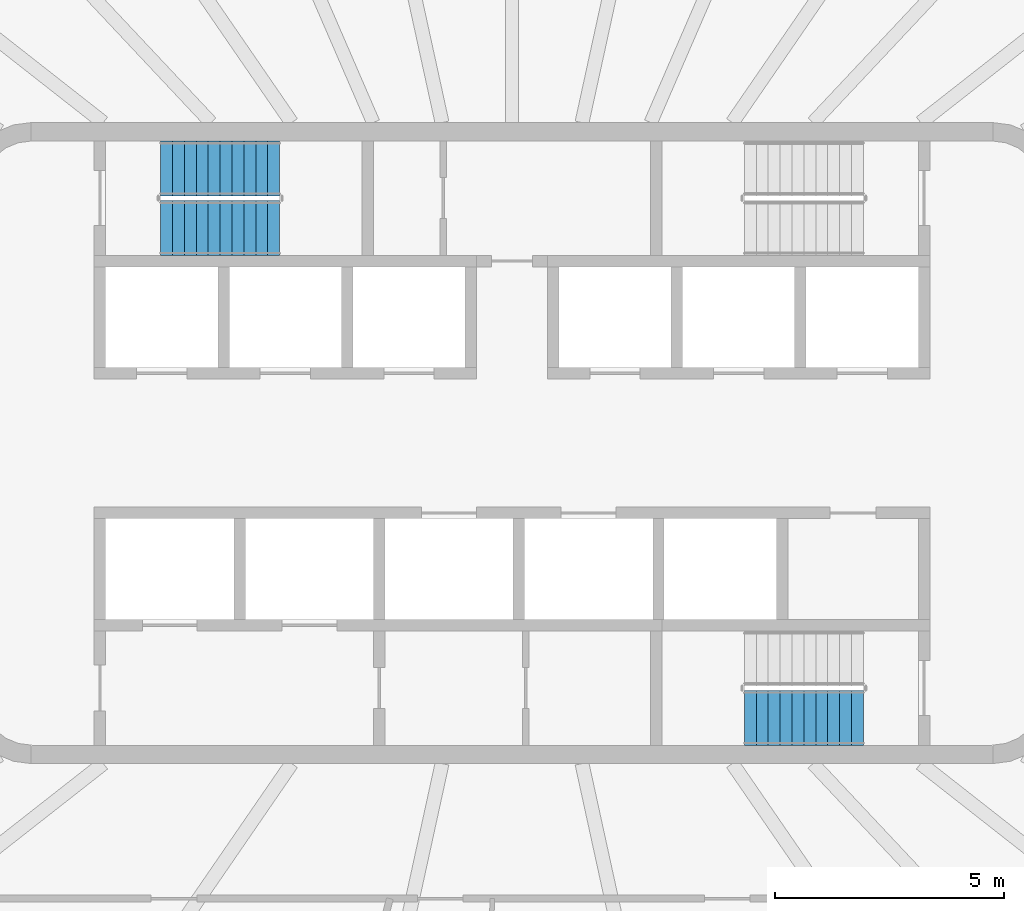
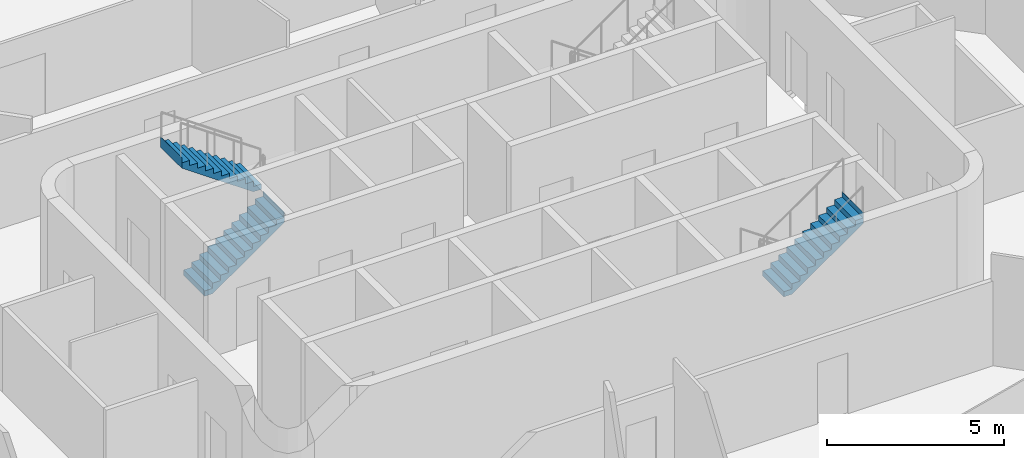
# One storey, part 13 of 19: 3 stair flights, 2 elements without a shape of their own.
"""IFC4 building model written with IfcOpenShell, lengths in metres."""

import ifcopenshell
import ifcopenshell.guid

model = None  # the IFC model being written
_history = None  # IfcOwnerHistory: only IFC2X3 demands one
_inside = {}  # id of a spatial element -> (the spatial element, [elements in it])
_under = {}  # id of a project, library or spatial element -> (it, [spatial elements below it])
_declared = {}  # id of a project -> (the project, [libraries it declares])
_typed = {}  # id of a type object -> (the type object, [elements of that type])
_made_of = {}  # id of a material, layer set ... -> (it, [elements and type objects made of it])


def new_model(schema):
    """Start an empty IFC model of exactly this schema.

    Asked for "IFC4X3", IfcOpenShell would pick the latest addendum, in which some entities
    have other attributes; the version numbers below select the first issue.
    IFC2X3 requires an IfcOwnerHistory on every rooted entity: one is made here for all.
    """
    global model, _history
    if schema == "IFC4X3":
        model = ifcopenshell.file(schema_version=(4, 3, 0, 0))
    else:
        model = ifcopenshell.file(schema=schema)
    _inside.clear()
    _under.clear()
    _declared.clear()
    _typed.clear()
    _made_of.clear()
    _history = None
    if model.schema == "IFC2X3":
        org = make("IfcOrganization", Name="unknown")
        user = make(
            "IfcPersonAndOrganization",
            ThePerson=make("IfcPerson", FamilyName="unknown"),
            TheOrganization=org,
        )
        app = make(
            "IfcApplication",
            ApplicationDeveloper=org,
            Version="unknown",
            ApplicationFullName="unknown",
            ApplicationIdentifier="unknown",
        )
        _history = make(
            "IfcOwnerHistory",
            OwningUser=user,
            OwningApplication=app,
            ChangeAction="ADDED",
            CreationDate=0,
        )
    return model


def make(cls, **values):
    """One entity of the class cls with the attributes given. An attribute that is None is left unset."""
    return model.create_entity(
        cls, **{name: value for name, value in values.items() if value is not None}
    )


def rooted(cls, **values):
    """An entity with a GlobalId (a new one), such as an element, a storey or a relation."""
    return make(cls, GlobalId=ifcopenshell.guid.new(), OwnerHistory=_history, **values)


def si_unit(unit_type, name, prefix=None):
    """IfcSIUnit, for example si_unit("LENGTHUNIT", "METRE", prefix="MILLI")."""
    return make("IfcSIUnit", UnitType=unit_type, Prefix=prefix, Name=name)


def assignment(units):
    """IfcUnitAssignment: the units of a project."""
    return None if units is None else make("IfcUnitAssignment", Units=units)


def point(xyz):
    """IfcCartesianPoint."""
    return None if xyz is None else make("IfcCartesianPoint", Coordinates=xyz)


def direction(xyz):
    """IfcDirection."""
    return None if xyz is None else make("IfcDirection", DirectionRatios=xyz)


def frame(location, z_axis=None, x_axis=None):
    """IfcAxis2Placement3D, a coordinate frame: its origin and axes. An axis left out is left unset."""
    return make(
        "IfcAxis2Placement3D",
        Location=point(location),
        Axis=direction(z_axis),
        RefDirection=direction(x_axis),
    )


def origin():
    """The frame at (0, 0, 0) with its axes left unset."""
    return frame((0.0, 0.0, 0.0))


def place(relative_to, where):
    """IfcLocalPlacement: puts the frame where relative to a parent placement (None: the world)."""
    return make(
        "IfcLocalPlacement", PlacementRelTo=relative_to, RelativePlacement=where
    )


def context(
    kind, dimensions, precision=None, world=None, true_north=None, identifier=None
):
    """IfcGeometricRepresentationContext, for example the 3D "Model" context."""
    return make(
        "IfcGeometricRepresentationContext",
        ContextIdentifier=identifier,
        ContextType=kind,
        CoordinateSpaceDimension=dimensions,
        Precision=precision,
        WorldCoordinateSystem=world,
        TrueNorth=true_north,
    )


def subcontext(parent, identifier, kind, view, scale=None):
    """IfcGeometricRepresentationSubContext, for example "Body" below "Model"."""
    return make(
        "IfcGeometricRepresentationSubContext",
        ContextIdentifier=identifier,
        ContextType=kind,
        ParentContext=parent,
        TargetScale=scale,
        TargetView=view,
    )


def project(units=None, contexts=None):
    """IfcProject with its units and contexts."""
    return rooted(
        "IfcProject",
        Name="project",
        RepresentationContexts=contexts,
        UnitsInContext=assignment(units),
    )


def spatial(cls, under=None, at=None, **own):
    """A site, building, storey or space (cls), placed at a placement, below another one or the project."""
    s = rooted(cls, ObjectPlacement=at, **own)
    if under is not None:
        _under.setdefault(under.id(), (under, []))[1].append(s)
    return s


def point_list(points):
    """IfcCartesianPointList2D or 3D."""
    cls = (
        "IfcCartesianPointList2D" if len(points[0]) == 2 else "IfcCartesianPointList3D"
    )
    return make(cls, CoordList=points)


def triangles(points, corners, closed=None, point_numbers=None):
    """IfcTriangulatedFaceSet: each triangle names its three corners, points numbered from 1."""
    return make(
        "IfcTriangulatedFaceSet",
        Coordinates=point_list(points),
        Closed=closed,
        CoordIndex=corners,
        PnIndex=point_numbers,
    )


def shape(context_of_items, identifier, shape_type, items):
    """IfcShapeRepresentation: the items that make up one representation, for example the "Body"."""
    return make(
        "IfcShapeRepresentation",
        ContextOfItems=context_of_items,
        RepresentationIdentifier=identifier,
        RepresentationType=shape_type,
        Items=items,
    )


def material(Name=None, Category=None):
    """IfcMaterial."""
    return make("IfcMaterial", Name=Name, Category=Category)


def made_of(thing, what):
    """Note that an element or type object is made of a material, layer set ...; save() writes the relation."""
    if what is not None:
        _made_of.setdefault(what.id(), (what, []))[1].append(thing)
    return thing


def type_object(cls, material=None, **own):
    """A type object (cls), such as IfcWallType, which elements share."""
    return made_of(rooted(cls, **own), material)


def element(
    cls,
    number,
    at=None,
    inside=None,
    cuts=None,
    type_object=None,
    material=None,
    context=None,
    identifier="Body",
    shape_type=None,
    held_by="IfcProductDefinitionShape",
    body=None,
    shapes=None,
    **own,
):
    """One element of the class cls, such as IfcWall. Its Tag is "e" and its number.

    at: its placement. inside: the storey or other place that contains it. cuts: it is an
    opening in that element (IfcRelVoidsElement). A single representation is given by context,
    identifier, shape_type and body (its items); several are given by shapes. held_by: the class
    of the entity that holds the representations. save() writes the other relations.
    """
    e = rooted(cls, Tag="e%d" % number, ObjectPlacement=at, **own)
    if body is not None:
        shapes = [shape(context, identifier, shape_type, body)]
    if shapes is not None:
        e.Representation = make(held_by, Representations=shapes)
    if inside is not None:
        _inside.setdefault(inside.id(), (inside, []))[1].append(e)
    if cuts is not None:
        rooted(
            "IfcRelVoidsElement", RelatingBuildingElement=cuts, RelatedOpeningElement=e
        )
    if type_object is not None:
        _typed.setdefault(type_object.id(), (type_object, []))[1].append(e)
    return made_of(e, material)


def aggregate(whole, parts):
    """IfcRelAggregates: a whole, such as a stair, and the parts it consists of."""
    return rooted("IfcRelAggregates", RelatingObject=whole, RelatedObjects=parts)


def save(model, path):
    """Write the relations noted so far, then the file.

    IfcRelAggregates (storeys below a building ...), IfcRelContainedInSpatialStructure (elements
    in a storey), IfcRelDefinesByType, IfcRelAssociatesMaterial and IfcRelDeclares: one each for
    every whole, place, type object, material and project.
    """
    for whole, parts in _under.values():
        aggregate(whole, parts)
    for where, things in _inside.values():
        rooted(
            "IfcRelContainedInSpatialStructure",
            RelatedElements=things,
            RelatingStructure=where,
        )
    for kind, things in _typed.values():
        rooted("IfcRelDefinesByType", RelatedObjects=things, RelatingType=kind)
    for what, things in _made_of.values():
        rooted("IfcRelAssociatesMaterial", RelatedObjects=things, RelatingMaterial=what)
    for by, libraries in _declared.values():
        rooted("IfcRelDeclares", RelatingContext=by, RelatedDefinitions=libraries)
    model.write(path)


model = new_model("IFC4")

# Units and contexts
model_context = context("Model", 3, precision=1e-05, world=origin(), true_north=direction((0.0, 1.0)))
body_context = subcontext(model_context, "Body", "Model", "MODEL_VIEW")
ifc_project = project(units=[si_unit("LENGTHUNIT", "METRE"), si_unit("AREAUNIT", "SQUARE_METRE"), si_unit("VOLUMEUNIT", "CUBIC_METRE"), si_unit("PLANEANGLEUNIT", "RADIAN"), si_unit("MASSUNIT", "GRAM", prefix="KILO")], contexts=[model_context])

# Site, building, storey
site_placement = place(None, origin())
site = spatial("IfcSite", under=ifc_project, at=site_placement, CompositionType="ELEMENT")
building_placement = place(site_placement, origin())
building = spatial("IfcBuilding", under=site, at=building_placement, Name="Sahrelin Media Tower", CompositionType="ELEMENT")
storey_placement = place(building_placement, frame((0.0, 0.0, 275.0)))
storey = spatial("IfcBuildingStorey", under=building, at=storey_placement, Name="L60", CompositionType="ELEMENT", Elevation=275.0)

# Stair, stair flights
ifc_material = material(Name="Concrete C40/50", Category="concrete")
stair_type = type_object("IfcStairType", Name="Exit stair 1200", PredefinedType="HALF_TURN_STAIR", material=ifc_material)
placement = place(storey_placement, origin())
stair_1 = element("IfcStair", 1, at=placement, inside=storey, type_object=stair_type, Name="L60 Exit stair ST1", PredefinedType="HALF_TURN_STAIR")
stair_flight_type = type_object("IfcStairFlightType", Name="Stair flight 1200", PredefinedType="STRAIGHT", material=ifc_material)
stair_flight_1_placement = place(storey_placement, frame((-7.675048828125, 4.699951171875, 0.0), z_axis=(0.0, 0.0, 1.0), x_axis=(1.0, 0.0, 0.0)))
stair_flight_1 = element("IfcStairFlight", 2, at=stair_flight_1_placement, type_object=stair_flight_type, Name="ST1 flight 1", NumberOfRisers=11, NumberOfTreads=10, PredefinedType="STRAIGHT", RiserHeight=0.181818182, TreadLength=0.26, context=body_context, shape_type="Tessellation", body=[
    triangles([(0.261474609375, 0.60009765625, 0.0), (0.261474609375, 0.300048828125, 0.0), (0.261474609375, 0.0, 0.0), (0.261474609375, -0.300048828125, 0.0), (0.261474609375, -0.60009765625, 0.0), (2.60009765625, 0.60009765625, 1.63525390625), (2.60009765625, 0.300048828125, 1.63525390625), (2.60009765625, 0.0, 1.63525390625), (2.60009765625, -0.300048828125, 1.63525390625), (2.60009765625, -0.60009765625, 1.63525390625), (2.60009765625, 0.60009765625, 2.0), (2.60009765625, 0.300048828125, 2.0), (2.60009765625, 0.0, 2.0), (2.60009765625, -0.300048828125, 2.0), (2.60009765625, -0.60009765625, 2.0), (2.597900390625, 0.60009765625, 2.0), (2.597900390625, 0.300048828125, 2.0), (2.597900390625, 0.0, 2.0), (2.597900390625, -0.300048828125, 2.0), (2.597900390625, -0.60009765625, 2.0), (2.597900390625, 0.60009765625, 1.818115234375), (2.597900390625, 0.300048828125, 1.818115234375), (2.597900390625, 0.0, 1.818115234375), (2.597900390625, -0.300048828125, 1.818115234375), (2.597900390625, -0.60009765625, 1.818115234375), (2.340087890625, 0.60009765625, 1.818115234375), (2.340087890625, 0.300048828125, 1.818115234375), (2.340087890625, 0.0, 1.818115234375), (2.340087890625, -0.300048828125, 1.818115234375), (2.340087890625, -0.60009765625, 1.818115234375), (2.340087890625, 0.60009765625, 1.636474609375), (2.340087890625, 0.300048828125, 1.636474609375), (2.340087890625, 0.0, 1.636474609375), (2.340087890625, -0.300048828125, 1.636474609375), (2.340087890625, -0.60009765625, 1.636474609375), (2.080078125, 0.60009765625, 1.636474609375), (2.080078125, 0.300048828125, 1.636474609375), (2.080078125, 0.0, 1.636474609375), (2.080078125, -0.300048828125, 1.636474609375), (2.080078125, -0.60009765625, 1.636474609375), (2.080078125, 0.60009765625, 1.45458984375), (2.080078125, 0.300048828125, 1.45458984375), (2.080078125, 0.0, 1.45458984375), (2.080078125, -0.300048828125, 1.45458984375), (2.080078125, -0.60009765625, 1.45458984375), (1.820068359375, 0.60009765625, 1.45458984375), (1.820068359375, 0.300048828125, 1.45458984375), (1.820068359375, 0.0, 1.45458984375), (1.820068359375, -0.300048828125, 1.45458984375), (1.820068359375, -0.60009765625, 1.45458984375), (1.820068359375, 0.60009765625, 1.272705078125), (1.820068359375, 0.300048828125, 1.272705078125), (1.820068359375, 0.0, 1.272705078125), (1.820068359375, -0.300048828125, 1.272705078125), (1.820068359375, -0.60009765625, 1.272705078125), (1.56005859375, 0.60009765625, 1.272705078125), (1.56005859375, 0.300048828125, 1.272705078125), (1.56005859375, 0.0, 1.272705078125), (1.56005859375, -0.300048828125, 1.272705078125), (1.56005859375, -0.60009765625, 1.272705078125), (1.56005859375, 0.60009765625, 1.0908203125), (1.56005859375, 0.300048828125, 1.0908203125), (1.56005859375, 0.0, 1.0908203125), (1.56005859375, -0.300048828125, 1.0908203125), (1.56005859375, -0.60009765625, 1.0908203125), (1.300048828125, 0.60009765625, 1.0908203125), (1.300048828125, 0.300048828125, 1.0908203125), (1.300048828125, 0.0, 1.0908203125), (1.300048828125, -0.300048828125, 1.0908203125), (1.300048828125, -0.60009765625, 1.0908203125), (1.300048828125, 0.60009765625, 0.9091796875), (1.300048828125, 0.300048828125, 0.9091796875), (1.300048828125, 0.0, 0.9091796875), (1.300048828125, -0.300048828125, 0.9091796875), (1.300048828125, -0.60009765625, 0.9091796875), (1.0400390625, 0.60009765625, 0.9091796875), (1.0400390625, 0.300048828125, 0.9091796875), (1.0400390625, 0.0, 0.9091796875), (1.0400390625, -0.300048828125, 0.9091796875), (1.0400390625, -0.60009765625, 0.9091796875), (1.0400390625, 0.60009765625, 0.727294921875), (1.0400390625, 0.300048828125, 0.727294921875), (1.0400390625, 0.0, 0.727294921875), (1.0400390625, -0.300048828125, 0.727294921875), (1.0400390625, -0.60009765625, 0.727294921875), (0.780029296875, 0.60009765625, 0.727294921875), (0.780029296875, 0.300048828125, 0.727294921875), (0.780029296875, 0.0, 0.727294921875), (0.780029296875, -0.300048828125, 0.727294921875), (0.780029296875, -0.60009765625, 0.727294921875), (0.780029296875, 0.60009765625, 0.54541015625), (0.780029296875, 0.300048828125, 0.54541015625), (0.780029296875, 0.0, 0.54541015625), (0.780029296875, -0.300048828125, 0.54541015625), (0.780029296875, -0.60009765625, 0.54541015625), (0.52001953125, 0.60009765625, 0.54541015625), (0.52001953125, 0.300048828125, 0.54541015625), (0.52001953125, 0.0, 0.54541015625), (0.52001953125, -0.300048828125, 0.54541015625), (0.52001953125, -0.60009765625, 0.54541015625), (0.52001953125, 0.60009765625, 0.363525390625), (0.52001953125, 0.300048828125, 0.363525390625), (0.52001953125, 0.0, 0.363525390625), (0.52001953125, -0.300048828125, 0.363525390625), (0.52001953125, -0.60009765625, 0.363525390625), (0.260009765625, 0.60009765625, 0.363525390625), (0.260009765625, 0.300048828125, 0.363525390625), (0.260009765625, 0.0, 0.363525390625), (0.260009765625, -0.300048828125, 0.363525390625), (0.260009765625, -0.60009765625, 0.363525390625), (0.260009765625, 0.60009765625, 0.181884765625), (0.260009765625, 0.300048828125, 0.181884765625), (0.260009765625, 0.0, 0.181884765625), (0.260009765625, -0.300048828125, 0.181884765625), (0.260009765625, -0.60009765625, 0.181884765625), (0.0, 0.60009765625, 0.181884765625), (0.0, 0.300048828125, 0.181884765625), (0.0, 0.0, 0.181884765625), (0.0, -0.300048828125, 0.181884765625), (0.0, -0.60009765625, 0.181884765625), (0.0, 0.60009765625, 0.0), (0.0, 0.300048828125, 0.0), (0.0, 0.0, 0.0), (0.0, -0.300048828125, 0.0), (0.0, -0.60009765625, 0.0)], [[1, 6, 7], [1, 7, 2], [2, 7, 8], [2, 8, 3], [3, 8, 9], [3, 9, 4], [4, 9, 10], [4, 10, 5], [6, 11, 12], [6, 12, 7], [7, 12, 13], [7, 13, 8], [8, 13, 14], [8, 14, 9], [9, 14, 15], [9, 15, 10], [11, 16, 17], [11, 17, 12], [12, 17, 18], [12, 18, 13], [13, 18, 19], [13, 19, 14], [14, 19, 20], [14, 20, 15], [16, 21, 22], [16, 22, 17], [17, 22, 23], [17, 23, 18], [18, 23, 24], [18, 24, 19], [19, 24, 25], [19, 25, 20], [21, 26, 27], [21, 27, 22], [22, 27, 28], [22, 28, 23], [23, 28, 29], [23, 29, 24], [24, 29, 30], [24, 30, 25], [26, 31, 32], [26, 32, 27], [27, 32, 33], [27, 33, 28], [28, 33, 34], [28, 34, 29], [29, 34, 35], [29, 35, 30], [31, 36, 37], [31, 37, 32], [32, 37, 38], [32, 38, 33], [33, 38, 39], [33, 39, 34], [34, 39, 40], [34, 40, 35], [36, 41, 42], [36, 42, 37], [37, 42, 43], [37, 43, 38], [38, 43, 44], [38, 44, 39], [39, 44, 45], [39, 45, 40], [41, 46, 47], [41, 47, 42], [42, 47, 48], [42, 48, 43], [43, 48, 49], [43, 49, 44], [44, 49, 50], [44, 50, 45], [46, 51, 52], [46, 52, 47], [47, 52, 53], [47, 53, 48], [48, 53, 54], [48, 54, 49], [49, 54, 55], [49, 55, 50], [51, 56, 57], [51, 57, 52], [52, 57, 58], [52, 58, 53], [53, 58, 59], [53, 59, 54], [54, 59, 60], [54, 60, 55], [56, 61, 62], [56, 62, 57], [57, 62, 63], [57, 63, 58], [58, 63, 64], [58, 64, 59], [59, 64, 65], [59, 65, 60], [61, 66, 67], [61, 67, 62], [62, 67, 68], [62, 68, 63], [63, 68, 69], [63, 69, 64], [64, 69, 70], [64, 70, 65], [66, 71, 72], [66, 72, 67], [67, 72, 73], [67, 73, 68], [68, 73, 74], [68, 74, 69], [69, 74, 75], [69, 75, 70], [71, 76, 77], [71, 77, 72], [72, 77, 78], [72, 78, 73], [73, 78, 79], [73, 79, 74], [74, 79, 80], [74, 80, 75], [76, 81, 82], [76, 82, 77], [77, 82, 83], [77, 83, 78], [78, 83, 84], [78, 84, 79], [79, 84, 85], [79, 85, 80], [81, 86, 87], [81, 87, 82], [82, 87, 88], [82, 88, 83], [83, 88, 89], [83, 89, 84], [84, 89, 90], [84, 90, 85], [86, 91, 92], [86, 92, 87], [87, 92, 93], [87, 93, 88], [88, 93, 94], [88, 94, 89], [89, 94, 95], [89, 95, 90], [91, 96, 97], [91, 97, 92], [92, 97, 98], [92, 98, 93], [93, 98, 99], [93, 99, 94], [94, 99, 100], [94, 100, 95], [96, 101, 102], [96, 102, 97], [97, 102, 103], [97, 103, 98], [98, 103, 104], [98, 104, 99], [99, 104, 105], [99, 105, 100], [101, 106, 107], [101, 107, 102], [102, 107, 108], [102, 108, 103], [103, 108, 109], [103, 109, 104], [104, 109, 110], [104, 110, 105], [106, 111, 112], [106, 112, 107], [107, 112, 113], [107, 113, 108], [108, 113, 114], [108, 114, 109], [109, 114, 115], [109, 115, 110], [111, 116, 117], [111, 117, 112], [112, 117, 118], [112, 118, 113], [113, 118, 119], [113, 119, 114], [114, 119, 120], [114, 120, 115], [116, 121, 122], [116, 122, 117], [117, 122, 123], [117, 123, 118], [118, 123, 124], [118, 124, 119], [119, 124, 125], [119, 125, 120], [121, 1, 2], [121, 2, 122], [122, 2, 3], [122, 3, 123], [123, 3, 4], [123, 4, 124], [124, 4, 5], [124, 5, 125], [115, 120, 125], [111, 121, 116], [115, 105, 110], [111, 106, 101], [105, 95, 100], [101, 96, 91], [95, 85, 90], [91, 86, 81], [85, 75, 80], [81, 76, 71], [75, 65, 70], [71, 66, 61], [65, 55, 60], [61, 56, 51], [55, 45, 50], [51, 46, 41], [45, 35, 40], [41, 36, 31], [35, 25, 30], [31, 26, 21], [25, 15, 20], [21, 16, 11], [125, 5, 115], [121, 111, 1], [25, 10, 15], [21, 11, 6], [105, 115, 5], [101, 1, 111], [35, 10, 25], [31, 21, 6], [95, 105, 5], [91, 1, 101], [45, 10, 35], [41, 31, 6], [85, 95, 5], [81, 1, 91], [55, 10, 45], [51, 41, 6], [75, 85, 5], [71, 1, 81], [65, 10, 55], [61, 51, 6], [5, 10, 75], [1, 71, 6], [75, 10, 65], [71, 61, 6]], closed=True),
])
stair_flight_2_placement = place(storey_placement, frame((-5.074951171875, 6.0, 2.0), z_axis=(0.0, 0.0, 1.0), x_axis=(-1.0, 0.0, 0.0)))
stair_flight_2 = element("IfcStairFlight", 3, at=stair_flight_2_placement, type_object=stair_flight_type, Name="ST1 flight 2", NumberOfRisers=11, NumberOfTreads=10, PredefinedType="STRAIGHT", RiserHeight=0.181818182, TreadLength=0.26, context=body_context, shape_type="Tessellation", body=[
    triangles([(0.261474609375, 0.60009765625, 0.0), (0.261474609375, 0.300048828125, 0.0), (0.261474609375, 0.0, 0.0), (0.261474609375, -0.300048828125, 0.0), (0.261474609375, -0.60009765625, 0.0), (2.60009765625, 0.60009765625, 1.63525390625), (2.60009765625, 0.300048828125, 1.63525390625), (2.60009765625, 0.0, 1.63525390625), (2.60009765625, -0.300048828125, 1.63525390625), (2.60009765625, -0.60009765625, 1.63525390625), (2.60009765625, 0.60009765625, 2.0), (2.60009765625, 0.300048828125, 2.0), (2.60009765625, 0.0, 2.0), (2.60009765625, -0.300048828125, 2.0), (2.60009765625, -0.60009765625, 2.0), (2.597900390625, 0.60009765625, 2.0), (2.597900390625, 0.300048828125, 2.0), (2.597900390625, 0.0, 2.0), (2.597900390625, -0.300048828125, 2.0), (2.597900390625, -0.60009765625, 2.0), (2.597900390625, 0.60009765625, 1.818115234375), (2.597900390625, 0.300048828125, 1.818115234375), (2.597900390625, 0.0, 1.818115234375), (2.597900390625, -0.300048828125, 1.818115234375), (2.597900390625, -0.60009765625, 1.818115234375), (2.340087890625, 0.60009765625, 1.818115234375), (2.340087890625, 0.300048828125, 1.818115234375), (2.340087890625, 0.0, 1.818115234375), (2.340087890625, -0.300048828125, 1.818115234375), (2.340087890625, -0.60009765625, 1.818115234375), (2.340087890625, 0.60009765625, 1.636474609375), (2.340087890625, 0.300048828125, 1.636474609375), (2.340087890625, 0.0, 1.636474609375), (2.340087890625, -0.300048828125, 1.636474609375), (2.340087890625, -0.60009765625, 1.636474609375), (2.080078125, 0.60009765625, 1.636474609375), (2.080078125, 0.300048828125, 1.636474609375), (2.080078125, 0.0, 1.636474609375), (2.080078125, -0.300048828125, 1.636474609375), (2.080078125, -0.60009765625, 1.636474609375), (2.080078125, 0.60009765625, 1.45458984375), (2.080078125, 0.300048828125, 1.45458984375), (2.080078125, 0.0, 1.45458984375), (2.080078125, -0.300048828125, 1.45458984375), (2.080078125, -0.60009765625, 1.45458984375), (1.820068359375, 0.60009765625, 1.45458984375), (1.820068359375, 0.300048828125, 1.45458984375), (1.820068359375, 0.0, 1.45458984375), (1.820068359375, -0.300048828125, 1.45458984375), (1.820068359375, -0.60009765625, 1.45458984375), (1.820068359375, 0.60009765625, 1.272705078125), (1.820068359375, 0.300048828125, 1.272705078125), (1.820068359375, 0.0, 1.272705078125), (1.820068359375, -0.300048828125, 1.272705078125), (1.820068359375, -0.60009765625, 1.272705078125), (1.56005859375, 0.60009765625, 1.272705078125), (1.56005859375, 0.300048828125, 1.272705078125), (1.56005859375, 0.0, 1.272705078125), (1.56005859375, -0.300048828125, 1.272705078125), (1.56005859375, -0.60009765625, 1.272705078125), (1.56005859375, 0.60009765625, 1.0908203125), (1.56005859375, 0.300048828125, 1.0908203125), (1.56005859375, 0.0, 1.0908203125), (1.56005859375, -0.300048828125, 1.0908203125), (1.56005859375, -0.60009765625, 1.0908203125), (1.300048828125, 0.60009765625, 1.0908203125), (1.300048828125, 0.300048828125, 1.0908203125), (1.300048828125, 0.0, 1.0908203125), (1.300048828125, -0.300048828125, 1.0908203125), (1.300048828125, -0.60009765625, 1.0908203125), (1.300048828125, 0.60009765625, 0.9091796875), (1.300048828125, 0.300048828125, 0.9091796875), (1.300048828125, 0.0, 0.9091796875), (1.300048828125, -0.300048828125, 0.9091796875), (1.300048828125, -0.60009765625, 0.9091796875), (1.0400390625, 0.60009765625, 0.9091796875), (1.0400390625, 0.300048828125, 0.9091796875), (1.0400390625, 0.0, 0.9091796875), (1.0400390625, -0.300048828125, 0.9091796875), (1.0400390625, -0.60009765625, 0.9091796875), (1.0400390625, 0.60009765625, 0.727294921875), (1.0400390625, 0.300048828125, 0.727294921875), (1.0400390625, 0.0, 0.727294921875), (1.0400390625, -0.300048828125, 0.727294921875), (1.0400390625, -0.60009765625, 0.727294921875), (0.780029296875, 0.60009765625, 0.727294921875), (0.780029296875, 0.300048828125, 0.727294921875), (0.780029296875, 0.0, 0.727294921875), (0.780029296875, -0.300048828125, 0.727294921875), (0.780029296875, -0.60009765625, 0.727294921875), (0.780029296875, 0.60009765625, 0.54541015625), (0.780029296875, 0.300048828125, 0.54541015625), (0.780029296875, 0.0, 0.54541015625), (0.780029296875, -0.300048828125, 0.54541015625), (0.780029296875, -0.60009765625, 0.54541015625), (0.52001953125, 0.60009765625, 0.54541015625), (0.52001953125, 0.300048828125, 0.54541015625), (0.52001953125, 0.0, 0.54541015625), (0.52001953125, -0.300048828125, 0.54541015625), (0.52001953125, -0.60009765625, 0.54541015625), (0.52001953125, 0.60009765625, 0.363525390625), (0.52001953125, 0.300048828125, 0.363525390625), (0.52001953125, 0.0, 0.363525390625), (0.52001953125, -0.300048828125, 0.363525390625), (0.52001953125, -0.60009765625, 0.363525390625), (0.260009765625, 0.60009765625, 0.363525390625), (0.260009765625, 0.300048828125, 0.363525390625), (0.260009765625, 0.0, 0.363525390625), (0.260009765625, -0.300048828125, 0.363525390625), (0.260009765625, -0.60009765625, 0.363525390625), (0.260009765625, 0.60009765625, 0.181884765625), (0.260009765625, 0.300048828125, 0.181884765625), (0.260009765625, 0.0, 0.181884765625), (0.260009765625, -0.300048828125, 0.181884765625), (0.260009765625, -0.60009765625, 0.181884765625), (0.0, 0.60009765625, 0.181884765625), (0.0, 0.300048828125, 0.181884765625), (0.0, 0.0, 0.181884765625), (0.0, -0.300048828125, 0.181884765625), (0.0, -0.60009765625, 0.181884765625), (0.0, 0.60009765625, 0.0), (0.0, 0.300048828125, 0.0), (0.0, 0.0, 0.0), (0.0, -0.300048828125, 0.0), (0.0, -0.60009765625, 0.0)], [[1, 6, 7], [1, 7, 2], [2, 7, 8], [2, 8, 3], [3, 8, 9], [3, 9, 4], [4, 9, 10], [4, 10, 5], [6, 11, 12], [6, 12, 7], [7, 12, 13], [7, 13, 8], [8, 13, 14], [8, 14, 9], [9, 14, 15], [9, 15, 10], [11, 16, 17], [11, 17, 12], [12, 17, 18], [12, 18, 13], [13, 18, 19], [13, 19, 14], [14, 19, 20], [14, 20, 15], [16, 21, 22], [16, 22, 17], [17, 22, 23], [17, 23, 18], [18, 23, 24], [18, 24, 19], [19, 24, 25], [19, 25, 20], [21, 26, 27], [21, 27, 22], [22, 27, 28], [22, 28, 23], [23, 28, 29], [23, 29, 24], [24, 29, 30], [24, 30, 25], [26, 31, 32], [26, 32, 27], [27, 32, 33], [27, 33, 28], [28, 33, 34], [28, 34, 29], [29, 34, 35], [29, 35, 30], [31, 36, 37], [31, 37, 32], [32, 37, 38], [32, 38, 33], [33, 38, 39], [33, 39, 34], [34, 39, 40], [34, 40, 35], [36, 41, 42], [36, 42, 37], [37, 42, 43], [37, 43, 38], [38, 43, 44], [38, 44, 39], [39, 44, 45], [39, 45, 40], [41, 46, 47], [41, 47, 42], [42, 47, 48], [42, 48, 43], [43, 48, 49], [43, 49, 44], [44, 49, 50], [44, 50, 45], [46, 51, 52], [46, 52, 47], [47, 52, 53], [47, 53, 48], [48, 53, 54], [48, 54, 49], [49, 54, 55], [49, 55, 50], [51, 56, 57], [51, 57, 52], [52, 57, 58], [52, 58, 53], [53, 58, 59], [53, 59, 54], [54, 59, 60], [54, 60, 55], [56, 61, 62], [56, 62, 57], [57, 62, 63], [57, 63, 58], [58, 63, 64], [58, 64, 59], [59, 64, 65], [59, 65, 60], [61, 66, 67], [61, 67, 62], [62, 67, 68], [62, 68, 63], [63, 68, 69], [63, 69, 64], [64, 69, 70], [64, 70, 65], [66, 71, 72], [66, 72, 67], [67, 72, 73], [67, 73, 68], [68, 73, 74], [68, 74, 69], [69, 74, 75], [69, 75, 70], [71, 76, 77], [71, 77, 72], [72, 77, 78], [72, 78, 73], [73, 78, 79], [73, 79, 74], [74, 79, 80], [74, 80, 75], [76, 81, 82], [76, 82, 77], [77, 82, 83], [77, 83, 78], [78, 83, 84], [78, 84, 79], [79, 84, 85], [79, 85, 80], [81, 86, 87], [81, 87, 82], [82, 87, 88], [82, 88, 83], [83, 88, 89], [83, 89, 84], [84, 89, 90], [84, 90, 85], [86, 91, 92], [86, 92, 87], [87, 92, 93], [87, 93, 88], [88, 93, 94], [88, 94, 89], [89, 94, 95], [89, 95, 90], [91, 96, 97], [91, 97, 92], [92, 97, 98], [92, 98, 93], [93, 98, 99], [93, 99, 94], [94, 99, 100], [94, 100, 95], [96, 101, 102], [96, 102, 97], [97, 102, 103], [97, 103, 98], [98, 103, 104], [98, 104, 99], [99, 104, 105], [99, 105, 100], [101, 106, 107], [101, 107, 102], [102, 107, 108], [102, 108, 103], [103, 108, 109], [103, 109, 104], [104, 109, 110], [104, 110, 105], [106, 111, 112], [106, 112, 107], [107, 112, 113], [107, 113, 108], [108, 113, 114], [108, 114, 109], [109, 114, 115], [109, 115, 110], [111, 116, 117], [111, 117, 112], [112, 117, 118], [112, 118, 113], [113, 118, 119], [113, 119, 114], [114, 119, 120], [114, 120, 115], [116, 121, 122], [116, 122, 117], [117, 122, 123], [117, 123, 118], [118, 123, 124], [118, 124, 119], [119, 124, 125], [119, 125, 120], [121, 1, 2], [121, 2, 122], [122, 2, 3], [122, 3, 123], [123, 3, 4], [123, 4, 124], [124, 4, 5], [124, 5, 125], [115, 120, 125], [111, 121, 116], [115, 105, 110], [111, 106, 101], [105, 95, 100], [101, 96, 91], [95, 85, 90], [91, 86, 81], [85, 75, 80], [81, 76, 71], [75, 65, 70], [71, 66, 61], [65, 55, 60], [61, 56, 51], [55, 45, 50], [51, 46, 41], [45, 35, 40], [41, 36, 31], [35, 25, 30], [31, 26, 21], [25, 15, 20], [21, 16, 11], [125, 5, 115], [121, 111, 1], [25, 10, 15], [21, 11, 6], [105, 115, 5], [101, 1, 111], [35, 10, 25], [31, 21, 6], [95, 105, 5], [91, 1, 101], [45, 10, 35], [41, 31, 6], [85, 95, 5], [81, 1, 91], [55, 10, 45], [51, 41, 6], [75, 85, 5], [71, 1, 81], [65, 10, 55], [61, 51, 6], [5, 10, 75], [1, 71, 6], [75, 10, 65], [71, 61, 6]], closed=True),
])
aggregate(stair_1, [stair_flight_1, stair_flight_2])

# Stair, stair flight
stair_2 = element("IfcStair", 4, at=placement, inside=storey, type_object=stair_type, Name="L60 Exit stair ST2", PredefinedType="HALF_TURN_STAIR")
stair_flight_3_placement = place(storey_placement, frame((5.074951171875, -6.0, 2.0), z_axis=(0.0, 0.0, 1.0), x_axis=(1.0, 0.0, 0.0)))
stair_flight_3 = element("IfcStairFlight", 5, at=stair_flight_3_placement, type_object=stair_flight_type, Name="ST2 flight 2", NumberOfRisers=11, NumberOfTreads=10, PredefinedType="STRAIGHT", RiserHeight=0.181818182, TreadLength=0.26, context=body_context, shape_type="Tessellation", body=[
    triangles([(0.261474609375, 0.60009765625, 0.0), (0.261474609375, 0.300048828125, 0.0), (0.261474609375, 0.0, 0.0), (0.261474609375, -0.300048828125, 0.0), (0.261474609375, -0.60009765625, 0.0), (2.60009765625, 0.60009765625, 1.63525390625), (2.60009765625, 0.300048828125, 1.63525390625), (2.60009765625, 0.0, 1.63525390625), (2.60009765625, -0.300048828125, 1.63525390625), (2.60009765625, -0.60009765625, 1.63525390625), (2.60009765625, 0.60009765625, 2.0), (2.60009765625, 0.300048828125, 2.0), (2.60009765625, 0.0, 2.0), (2.60009765625, -0.300048828125, 2.0), (2.60009765625, -0.60009765625, 2.0), (2.597900390625, 0.60009765625, 2.0), (2.597900390625, 0.300048828125, 2.0), (2.597900390625, 0.0, 2.0), (2.597900390625, -0.300048828125, 2.0), (2.597900390625, -0.60009765625, 2.0), (2.597900390625, 0.60009765625, 1.818115234375), (2.597900390625, 0.300048828125, 1.818115234375), (2.597900390625, 0.0, 1.818115234375), (2.597900390625, -0.300048828125, 1.818115234375), (2.597900390625, -0.60009765625, 1.818115234375), (2.340087890625, 0.60009765625, 1.818115234375), (2.340087890625, 0.300048828125, 1.818115234375), (2.340087890625, 0.0, 1.818115234375), (2.340087890625, -0.300048828125, 1.818115234375), (2.340087890625, -0.60009765625, 1.818115234375), (2.340087890625, 0.60009765625, 1.636474609375), (2.340087890625, 0.300048828125, 1.636474609375), (2.340087890625, 0.0, 1.636474609375), (2.340087890625, -0.300048828125, 1.636474609375), (2.340087890625, -0.60009765625, 1.636474609375), (2.080078125, 0.60009765625, 1.636474609375), (2.080078125, 0.300048828125, 1.636474609375), (2.080078125, 0.0, 1.636474609375), (2.080078125, -0.300048828125, 1.636474609375), (2.080078125, -0.60009765625, 1.636474609375), (2.080078125, 0.60009765625, 1.45458984375), (2.080078125, 0.300048828125, 1.45458984375), (2.080078125, 0.0, 1.45458984375), (2.080078125, -0.300048828125, 1.45458984375), (2.080078125, -0.60009765625, 1.45458984375), (1.820068359375, 0.60009765625, 1.45458984375), (1.820068359375, 0.300048828125, 1.45458984375), (1.820068359375, 0.0, 1.45458984375), (1.820068359375, -0.300048828125, 1.45458984375), (1.820068359375, -0.60009765625, 1.45458984375), (1.820068359375, 0.60009765625, 1.272705078125), (1.820068359375, 0.300048828125, 1.272705078125), (1.820068359375, 0.0, 1.272705078125), (1.820068359375, -0.300048828125, 1.272705078125), (1.820068359375, -0.60009765625, 1.272705078125), (1.56005859375, 0.60009765625, 1.272705078125), (1.56005859375, 0.300048828125, 1.272705078125), (1.56005859375, 0.0, 1.272705078125), (1.56005859375, -0.300048828125, 1.272705078125), (1.56005859375, -0.60009765625, 1.272705078125), (1.56005859375, 0.60009765625, 1.0908203125), (1.56005859375, 0.300048828125, 1.0908203125), (1.56005859375, 0.0, 1.0908203125), (1.56005859375, -0.300048828125, 1.0908203125), (1.56005859375, -0.60009765625, 1.0908203125), (1.300048828125, 0.60009765625, 1.0908203125), (1.300048828125, 0.300048828125, 1.0908203125), (1.300048828125, 0.0, 1.0908203125), (1.300048828125, -0.300048828125, 1.0908203125), (1.300048828125, -0.60009765625, 1.0908203125), (1.300048828125, 0.60009765625, 0.9091796875), (1.300048828125, 0.300048828125, 0.9091796875), (1.300048828125, 0.0, 0.9091796875), (1.300048828125, -0.300048828125, 0.9091796875), (1.300048828125, -0.60009765625, 0.9091796875), (1.0400390625, 0.60009765625, 0.9091796875), (1.0400390625, 0.300048828125, 0.9091796875), (1.0400390625, 0.0, 0.9091796875), (1.0400390625, -0.300048828125, 0.9091796875), (1.0400390625, -0.60009765625, 0.9091796875), (1.0400390625, 0.60009765625, 0.727294921875), (1.0400390625, 0.300048828125, 0.727294921875), (1.0400390625, 0.0, 0.727294921875), (1.0400390625, -0.300048828125, 0.727294921875), (1.0400390625, -0.60009765625, 0.727294921875), (0.780029296875, 0.60009765625, 0.727294921875), (0.780029296875, 0.300048828125, 0.727294921875), (0.780029296875, 0.0, 0.727294921875), (0.780029296875, -0.300048828125, 0.727294921875), (0.780029296875, -0.60009765625, 0.727294921875), (0.780029296875, 0.60009765625, 0.54541015625), (0.780029296875, 0.300048828125, 0.54541015625), (0.780029296875, 0.0, 0.54541015625), (0.780029296875, -0.300048828125, 0.54541015625), (0.780029296875, -0.60009765625, 0.54541015625), (0.52001953125, 0.60009765625, 0.54541015625), (0.52001953125, 0.300048828125, 0.54541015625), (0.52001953125, 0.0, 0.54541015625), (0.52001953125, -0.300048828125, 0.54541015625), (0.52001953125, -0.60009765625, 0.54541015625), (0.52001953125, 0.60009765625, 0.363525390625), (0.52001953125, 0.300048828125, 0.363525390625), (0.52001953125, 0.0, 0.363525390625), (0.52001953125, -0.300048828125, 0.363525390625), (0.52001953125, -0.60009765625, 0.363525390625), (0.260009765625, 0.60009765625, 0.363525390625), (0.260009765625, 0.300048828125, 0.363525390625), (0.260009765625, 0.0, 0.363525390625), (0.260009765625, -0.300048828125, 0.363525390625), (0.260009765625, -0.60009765625, 0.363525390625), (0.260009765625, 0.60009765625, 0.181884765625), (0.260009765625, 0.300048828125, 0.181884765625), (0.260009765625, 0.0, 0.181884765625), (0.260009765625, -0.300048828125, 0.181884765625), (0.260009765625, -0.60009765625, 0.181884765625), (0.0, 0.60009765625, 0.181884765625), (0.0, 0.300048828125, 0.181884765625), (0.0, 0.0, 0.181884765625), (0.0, -0.300048828125, 0.181884765625), (0.0, -0.60009765625, 0.181884765625), (0.0, 0.60009765625, 0.0), (0.0, 0.300048828125, 0.0), (0.0, 0.0, 0.0), (0.0, -0.300048828125, 0.0), (0.0, -0.60009765625, 0.0)], [[1, 6, 7], [1, 7, 2], [2, 7, 8], [2, 8, 3], [3, 8, 9], [3, 9, 4], [4, 9, 10], [4, 10, 5], [6, 11, 12], [6, 12, 7], [7, 12, 13], [7, 13, 8], [8, 13, 14], [8, 14, 9], [9, 14, 15], [9, 15, 10], [11, 16, 17], [11, 17, 12], [12, 17, 18], [12, 18, 13], [13, 18, 19], [13, 19, 14], [14, 19, 20], [14, 20, 15], [16, 21, 22], [16, 22, 17], [17, 22, 23], [17, 23, 18], [18, 23, 24], [18, 24, 19], [19, 24, 25], [19, 25, 20], [21, 26, 27], [21, 27, 22], [22, 27, 28], [22, 28, 23], [23, 28, 29], [23, 29, 24], [24, 29, 30], [24, 30, 25], [26, 31, 32], [26, 32, 27], [27, 32, 33], [27, 33, 28], [28, 33, 34], [28, 34, 29], [29, 34, 35], [29, 35, 30], [31, 36, 37], [31, 37, 32], [32, 37, 38], [32, 38, 33], [33, 38, 39], [33, 39, 34], [34, 39, 40], [34, 40, 35], [36, 41, 42], [36, 42, 37], [37, 42, 43], [37, 43, 38], [38, 43, 44], [38, 44, 39], [39, 44, 45], [39, 45, 40], [41, 46, 47], [41, 47, 42], [42, 47, 48], [42, 48, 43], [43, 48, 49], [43, 49, 44], [44, 49, 50], [44, 50, 45], [46, 51, 52], [46, 52, 47], [47, 52, 53], [47, 53, 48], [48, 53, 54], [48, 54, 49], [49, 54, 55], [49, 55, 50], [51, 56, 57], [51, 57, 52], [52, 57, 58], [52, 58, 53], [53, 58, 59], [53, 59, 54], [54, 59, 60], [54, 60, 55], [56, 61, 62], [56, 62, 57], [57, 62, 63], [57, 63, 58], [58, 63, 64], [58, 64, 59], [59, 64, 65], [59, 65, 60], [61, 66, 67], [61, 67, 62], [62, 67, 68], [62, 68, 63], [63, 68, 69], [63, 69, 64], [64, 69, 70], [64, 70, 65], [66, 71, 72], [66, 72, 67], [67, 72, 73], [67, 73, 68], [68, 73, 74], [68, 74, 69], [69, 74, 75], [69, 75, 70], [71, 76, 77], [71, 77, 72], [72, 77, 78], [72, 78, 73], [73, 78, 79], [73, 79, 74], [74, 79, 80], [74, 80, 75], [76, 81, 82], [76, 82, 77], [77, 82, 83], [77, 83, 78], [78, 83, 84], [78, 84, 79], [79, 84, 85], [79, 85, 80], [81, 86, 87], [81, 87, 82], [82, 87, 88], [82, 88, 83], [83, 88, 89], [83, 89, 84], [84, 89, 90], [84, 90, 85], [86, 91, 92], [86, 92, 87], [87, 92, 93], [87, 93, 88], [88, 93, 94], [88, 94, 89], [89, 94, 95], [89, 95, 90], [91, 96, 97], [91, 97, 92], [92, 97, 98], [92, 98, 93], [93, 98, 99], [93, 99, 94], [94, 99, 100], [94, 100, 95], [96, 101, 102], [96, 102, 97], [97, 102, 103], [97, 103, 98], [98, 103, 104], [98, 104, 99], [99, 104, 105], [99, 105, 100], [101, 106, 107], [101, 107, 102], [102, 107, 108], [102, 108, 103], [103, 108, 109], [103, 109, 104], [104, 109, 110], [104, 110, 105], [106, 111, 112], [106, 112, 107], [107, 112, 113], [107, 113, 108], [108, 113, 114], [108, 114, 109], [109, 114, 115], [109, 115, 110], [111, 116, 117], [111, 117, 112], [112, 117, 118], [112, 118, 113], [113, 118, 119], [113, 119, 114], [114, 119, 120], [114, 120, 115], [116, 121, 122], [116, 122, 117], [117, 122, 123], [117, 123, 118], [118, 123, 124], [118, 124, 119], [119, 124, 125], [119, 125, 120], [121, 1, 2], [121, 2, 122], [122, 2, 3], [122, 3, 123], [123, 3, 4], [123, 4, 124], [124, 4, 5], [124, 5, 125], [115, 120, 125], [111, 121, 116], [115, 105, 110], [111, 106, 101], [105, 95, 100], [101, 96, 91], [95, 85, 90], [91, 86, 81], [85, 75, 80], [81, 76, 71], [75, 65, 70], [71, 66, 61], [65, 55, 60], [61, 56, 51], [55, 45, 50], [51, 46, 41], [45, 35, 40], [41, 36, 31], [35, 25, 30], [31, 26, 21], [25, 15, 20], [21, 16, 11], [125, 5, 115], [121, 111, 1], [25, 10, 15], [21, 11, 6], [105, 115, 5], [101, 1, 111], [35, 10, 25], [31, 21, 6], [95, 105, 5], [91, 1, 101], [45, 10, 35], [41, 31, 6], [85, 95, 5], [81, 1, 91], [55, 10, 45], [51, 41, 6], [75, 85, 5], [71, 1, 81], [65, 10, 55], [61, 51, 6], [5, 10, 75], [1, 71, 6], [75, 10, 65], [71, 61, 6]], closed=True),
])
aggregate(stair_2, [stair_flight_3])

save(model, "model.ifc")
